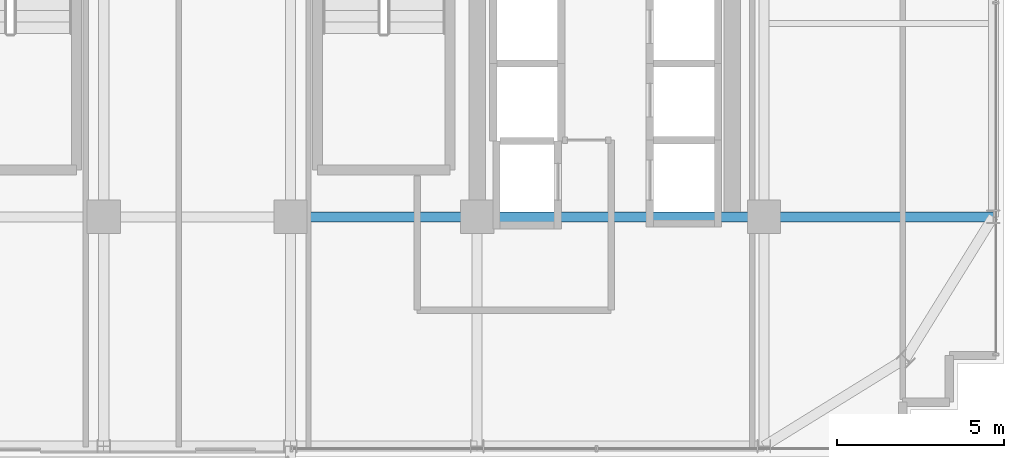
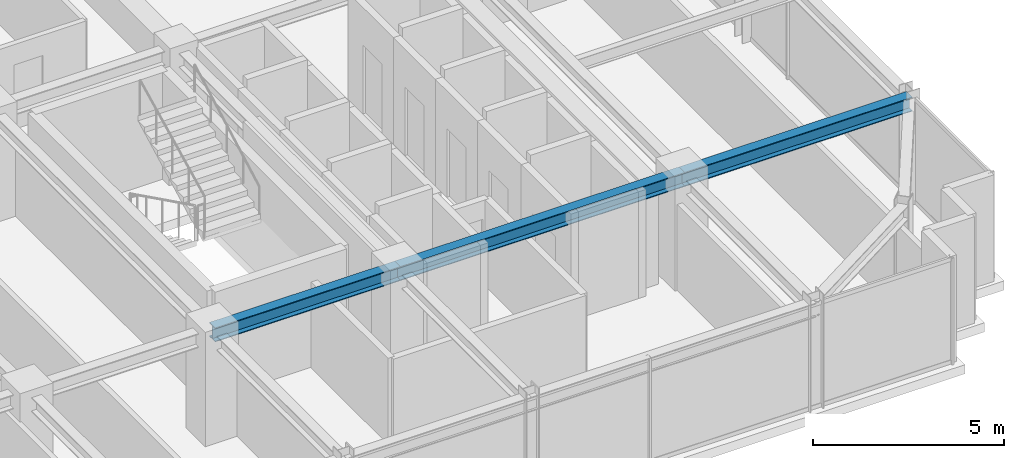
# One storey, part 12 of 32: 3 beams.
"""IFC4 building model written with IfcOpenShell, lengths in metres."""

from ifc_helpers import new_model, si_unit, direction, frame, origin, origin_2d, place, context, subcontext, project, spatial, i_section, extrude, source, transform, mapped, material, material_profile, profile_set, type_object, element, save


model = new_model("IFC4")

# Units and contexts
model_context = context("Model", 3, precision=1e-05, world=origin(), true_north=direction((0.0, 1.0)))
body_context = subcontext(model_context, "Body", "Model", "MODEL_VIEW")
ifc_project = project(units=[si_unit("LENGTHUNIT", "METRE"), si_unit("AREAUNIT", "SQUARE_METRE"), si_unit("VOLUMEUNIT", "CUBIC_METRE"), si_unit("PLANEANGLEUNIT", "RADIAN"), si_unit("MASSUNIT", "GRAM", prefix="KILO")], contexts=[model_context])

# Site, building, storey
site_placement = place(None, origin())
site = spatial("IfcSite", under=ifc_project, at=site_placement, CompositionType="ELEMENT")
building_placement = place(site_placement, origin())
building = spatial("IfcBuilding", under=site, at=building_placement, Name="Nahalor Promenade Grand Hotel", CompositionType="ELEMENT")
storey_placement = place(building_placement, frame((0.0, 0.0, 230.800048828125)))
storey = spatial("IfcBuildingStorey", under=building, at=storey_placement, Name="L59", CompositionType="ELEMENT", Elevation=230.800048828125)

# Beams
ifc_material = material(Name="Steel S355JR", Category="steel")
ifc_material_profile = material_profile(ifc_material, i_section(OverallWidth=0.3, OverallDepth=0.45, WebThickness=0.014, FlangeThickness=0.026, at=origin_2d()), Name="HEB 450")
ifc_profile_set = profile_set([ifc_material_profile], Name="Steel S355JR")
beam_type = type_object("IfcBeamType", Name="Beam-Girder-HEB450", PredefinedType="BEAM", material=ifc_profile_set)
shared_shape_1 = source(origin(), body_context, "Body", "SweptSolid", [
    extrude(i_section(OverallWidth=0.3, OverallDepth=0.45, WebThickness=0.014, FlangeThickness=0.026, at=origin_2d()), origin(), (0.0, 0.0, 1.0), 6.8798828125),
])
beam_1_placement = place(storey_placement, frame((17.0, -17.0, 3.18505859375), z_axis=(1.0, 0.0, 0.0), x_axis=(0.0, 1.0, 0.0)))
element("IfcBeam", 1, at=beam_1_placement, inside=storey, type_object=beam_type, Name="BM-L59-GX-0-6", PredefinedType="BEAM", context=body_context, shape_type="MappedRepresentation", body=[
    mapped(shared_shape_1, transform((0.0, 0.0, 0.0), scale=1.0)),
])
shared_shape_2 = source(origin(), body_context, "Body", "SweptSolid", [
    extrude(i_section(OverallWidth=0.3, OverallDepth=0.45, WebThickness=0.014, FlangeThickness=0.026, at=origin_2d()), origin(), (0.0, 0.0, 1.0), 8.60009765625),
])
beam_2_placement = place(storey_placement, frame((8.39990234375, -17.0, 3.18505859375), z_axis=(1.0, 0.0, 0.0), x_axis=(0.0, 1.0, 0.0)))
element("IfcBeam", 2, at=beam_2_placement, inside=storey, type_object=beam_type, Name="BM-L59-GX-0-5", PredefinedType="BEAM", context=body_context, shape_type="MappedRepresentation", body=[
    mapped(shared_shape_2, transform((0.0, 0.0, 0.0), scale=1.0)),
])
shared_shape_3 = source(origin(), body_context, "Body", "SweptSolid", [
    extrude(i_section(OverallWidth=0.3, OverallDepth=0.45, WebThickness=0.014, FlangeThickness=0.026, at=origin_2d()), origin(), (0.0, 0.0, 1.0), 5.599853515625),
])
beam_3_placement = place(storey_placement, frame((2.800048828125, -17.0, 3.18505859375), z_axis=(1.0, 0.0, 0.0), x_axis=(0.0, 1.0, 0.0)))
element("IfcBeam", 3, at=beam_3_placement, inside=storey, type_object=beam_type, Name="BM-L59-GX-0-4", PredefinedType="BEAM", context=body_context, shape_type="MappedRepresentation", body=[
    mapped(shared_shape_3, transform((0.0, 0.0, 0.0), scale=1.0)),
])

save(model, "model.ifc")
